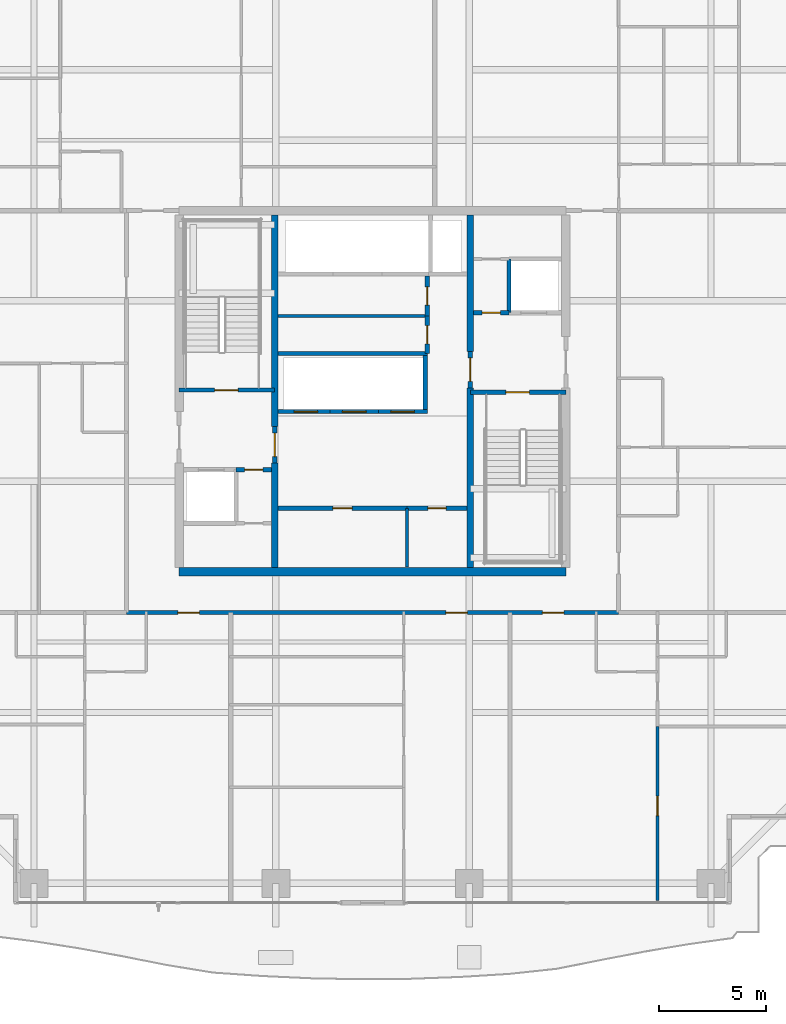
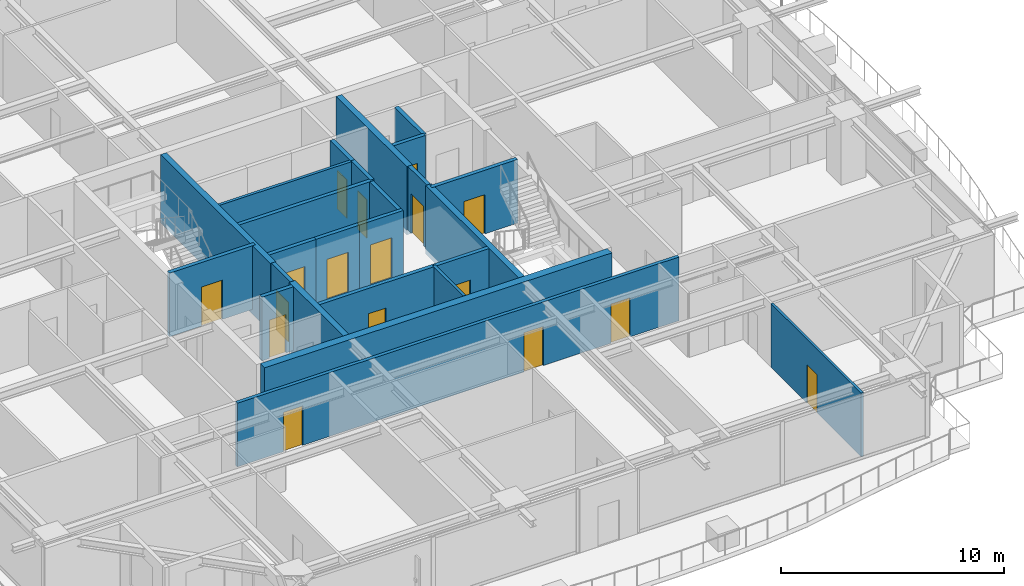
# One storey, part 26 of 35: 25 walls, 17 doors, 17 openings.
"""IFC4 building model written with IfcOpenShell, lengths in metres."""

from ifc_helpers import new_model, si_unit, direction, frame, frame_2d, origin, place, context, subcontext, project, spatial, rectangle, extrude, source, transform, mapped, material, layer, layer_set, type_object, element, fill, save


model = new_model("IFC4")

# Units and contexts
model_context = context("Model", 3, precision=1e-05, world=origin(), true_north=direction((0.0, 1.0)))
body_context = subcontext(model_context, "Body", "Model", "MODEL_VIEW")
ifc_project = project(units=[si_unit("LENGTHUNIT", "METRE"), si_unit("AREAUNIT", "SQUARE_METRE"), si_unit("VOLUMEUNIT", "CUBIC_METRE"), si_unit("PLANEANGLEUNIT", "RADIAN"), si_unit("MASSUNIT", "GRAM", prefix="KILO")], contexts=[model_context])

# Site, building, storey
site_placement = place(None, origin())
site = spatial("IfcSite", under=ifc_project, at=site_placement, CompositionType="ELEMENT")
building_placement = place(site_placement, origin())
building = spatial("IfcBuilding", under=site, at=building_placement, Name="Serunith Strait Residences", CompositionType="ELEMENT")
storey_placement = place(building_placement, frame((0.0, 0.0, 191.39990234375)))
storey = spatial("IfcBuildingStorey", under=building, at=storey_placement, Name="L48", CompositionType="ELEMENT", Elevation=191.39990234375)

# Walls
ifc_material_1 = material(Name="Fire-rated masonry service closet wall", Category="masonry")
ifc_layer_1 = layer(ifc_material_1, 0.14990234375, Name="Fire-rated masonry service closet wall")
ifc_layer_set_1 = layer_set([ifc_layer_1], Name="Fire-rated masonry service closet wall")
wall_type_1 = type_object("IfcWallType", Name="IW-BOH-150", PredefinedType="PARTITIONING", material=ifc_layer_set_1)
wall_1_placement = place(storey_placement, frame((28.0, 28.699951171875, 0.0), z_axis=(0.0, 0.0, 1.0), x_axis=(1.0, 0.0, 0.0)))
element("IfcWall", 1, at=wall_1_placement, inside=storey, type_object=wall_type_1, Name="L48 Partition Wall 016", PredefinedType="PARTITIONING", context=body_context, shape_type="SweptSolid", body=[
    extrude(rectangle(XDim=6.949951171875, YDim=0.14990234375, at=frame_2d((3.47509765625, 0.0))), origin(), (0.0, 0.0, 1.0), 3.489990234375),
])
wall_2_placement = place(storey_placement, frame((34.0, 17.02001953125, 0.0), z_axis=(0.0, 0.0, 1.0), x_axis=(0.0, 1.0, 0.0)))
element("IfcWall", 2, at=wall_2_placement, inside=storey, type_object=wall_type_1, Name="L48 Partition Wall 019", PredefinedType="PARTITIONING", context=body_context, shape_type="SweptSolid", body=[
    extrude(rectangle(XDim=2.72998046875, YDim=0.14990234375, at=frame_2d((1.364990234375, 0.0))), origin(), (0.0, 0.0, 1.0), 3.489990234375),
])

# Wall, openings, doors
ifc_material_2 = material(Name="Fire-rated acoustic gypsum partition")
ifc_layer_2 = layer(ifc_material_2, 0.179931640625, Name="Fire-rated acoustic gypsum partition")
ifc_layer_set_2 = layer_set([ifc_layer_2], Name="Fire-rated acoustic gypsum partition")
wall_type_2 = type_object("IfcWallType", Name="IW-CORR-180", PredefinedType="PARTITIONING", material=ifc_layer_set_2)
wall_3_placement = place(storey_placement, frame((20.951904296875, 14.89990234375, 0.0), z_axis=(0.0, 0.0, 1.0), x_axis=(1.0, 0.0, 0.0)))
wall_3 = element("IfcWall", 3, at=wall_3_placement, inside=storey, type_object=wall_type_2, Name="L48 Partition Wall 027", PredefinedType="PARTITIONING", context=body_context, shape_type="SweptSolid", body=[
    extrude(rectangle(XDim=22.89599609375, YDim=0.179931640625, at=frame_2d((11.447998046875, 0.0))), origin(), (0.0, 0.0, 1.0), 3.489990234375),
])
opening_1_placement = place(wall_3_placement, frame((2.386962890625, 0.0, 0.0)))
opening_1 = element("IfcOpeningElement", 4, at=opening_1_placement, cuts=wall_3, Name="Opening D-APT1000", PredefinedType="OPENING", context=body_context, shape_type="SweptSolid", body=[
    extrude(rectangle(XDim=1.0, YDim=2.14990234375, at=frame_2d((0.5, 1.074951171875))), frame((0.0, 0.10009765625, 0.0), z_axis=(0.0, -1.0, 0.0), x_axis=(1.0, 0.0, 0.0)), (0.0, 0.0, 1.0), 0.199951171875),
])
opening_2_placement = place(wall_3_placement, frame((14.866943359375, 0.0, 0.0)))
opening_2 = element("IfcOpeningElement", 5, at=opening_2_placement, cuts=wall_3, Name="Opening D-APT1000", PredefinedType="OPENING", context=body_context, shape_type="SweptSolid", body=[
    extrude(rectangle(XDim=1.0, YDim=2.14990234375, at=frame_2d((0.5, 1.074951171875))), frame((0.0, 0.10009765625, 0.0), z_axis=(0.0, -1.0, 0.0), x_axis=(1.0, 0.0, 0.0)), (0.0, 0.0, 1.0), 0.199951171875),
])
opening_3_placement = place(wall_3_placement, frame((19.35595703125, 0.0, 0.0)))
opening_3 = element("IfcOpeningElement", 6, at=opening_3_placement, cuts=wall_3, Name="Opening D-APT1000", PredefinedType="OPENING", context=body_context, shape_type="SweptSolid", body=[
    extrude(rectangle(XDim=1.0, YDim=2.14990234375, at=frame_2d((0.5, 1.074951171875))), frame((0.0, 0.10009765625, 0.0), z_axis=(0.0, -1.0, 0.0), x_axis=(1.0, 0.0, 0.0)), (0.0, 0.0, 1.0), 0.199951171875),
])
ifc_material_3 = material(Name="Solid timber engineered fire door", Category="wood")
door_type_1 = type_object("IfcDoorType", Name="ID-APT-1000", OperationType="NOTDEFINED", PredefinedType="DOOR", material=ifc_material_3)
shared_shape_1 = source(origin(), body_context, "Body", "SweptSolid", [
    extrude(rectangle(XDim=1.0, YDim=2.14990234375, at=frame_2d((0.5, 1.074951171875))), frame((0.0, 0.02490234375, 0.0), z_axis=(0.0, -1.0, 0.0), x_axis=(1.0, 0.0, 0.0)), (0.0, 0.0, 1.0), 0.050048828125),
])
door_1_placement = place(opening_1_placement, origin())
door_1 = element("IfcDoor", 7, at=door_1_placement, inside=storey, type_object=door_type_1, Name="L48 Unit 01 Entrance Door", OperationType="SINGLE_SWING_LEFT", OverallHeight=2.14990234375, OverallWidth=1.0, PredefinedType="DOOR", context=body_context, shape_type="MappedRepresentation", body=[
    mapped(shared_shape_1, transform((0.0, 0.0, 0.0), scale=1.0)),
])
fill(opening_1, door_1)
door_2_placement = place(opening_2_placement, origin())
door_2 = element("IfcDoor", 8, at=door_2_placement, inside=storey, type_object=door_type_1, Name="L48 Unit 02 Entrance Door", OperationType="SINGLE_SWING_RIGHT", OverallHeight=2.14990234375, OverallWidth=1.0, PredefinedType="DOOR", context=body_context, shape_type="MappedRepresentation", body=[
    mapped(shared_shape_1, transform((0.0, 0.0, 0.0), scale=1.0)),
])
fill(opening_2, door_2)
door_3_placement = place(opening_3_placement, origin())
door_3 = element("IfcDoor", 9, at=door_3_placement, inside=storey, type_object=door_type_1, Name="L48 Unit 03 Entrance Door", OperationType="SINGLE_SWING_LEFT", OverallHeight=2.14990234375, OverallWidth=1.0, PredefinedType="DOOR", context=body_context, shape_type="MappedRepresentation", body=[
    mapped(shared_shape_1, transform((0.0, 0.0, 0.0), scale=1.0)),
])
fill(opening_3, door_3)

# Wall, opening, door
ifc_material_4 = material(Name="Lightweight steel-stud gypsum partition", Category="steel")
ifc_layer_3 = layer(ifc_material_4, 0.1201171875, Name="Lightweight steel-stud gypsum partition")
ifc_layer_set_3 = layer_set([ifc_layer_3], Name="Lightweight steel-stud gypsum partition")
wall_type_3 = type_object("IfcWallType", Name="IW-PART-120", PredefinedType="PARTITIONING", material=ifc_layer_set_3)
wall_4_placement = place(storey_placement, frame((45.659912109375, 1.4951171875, 0.0), z_axis=(0.0, 0.0, 1.0), x_axis=(0.0, 1.0, 0.0)))
wall_4 = element("IfcWall", 10, at=wall_4_placement, inside=storey, type_object=wall_type_3, Name="L48 Partition Wall 049", PredefinedType="PARTITIONING", context=body_context, shape_type="SweptSolid", body=[
    extrude(rectangle(XDim=8.102783203125, YDim=0.1201171875, at=frame_2d((4.05126953125, 0.0))), origin(), (0.0, 0.0, 1.0), 3.489990234375),
])
opening_4_placement = place(wall_4_placement, frame((3.9619140625, 0.0, 0.0)))
opening_4 = element("IfcOpeningElement", 11, at=opening_4_placement, cuts=wall_4, Name="Opening D-RM900", PredefinedType="OPENING", context=body_context, shape_type="SweptSolid", body=[
    extrude(rectangle(XDim=0.89990234375, YDim=2.10009765625, at=frame_2d((0.449951171875, 1.050048828125))), frame((0.0, 0.070068359375, 0.0), z_axis=(0.0, -1.0, 0.0), x_axis=(1.0, 0.0, 0.0)), (0.0, 0.0, 1.0), 0.14013671875),
])
ifc_material_5 = material(Name="Engineered timber flush bedroom door", Category="wood")
door_type_2 = type_object("IfcDoorType", Name="ID-ROOM-900", OperationType="NOTDEFINED", PredefinedType="DOOR", material=ifc_material_5)
shared_shape_2 = source(origin(), body_context, "Body", "SweptSolid", [
    extrude(rectangle(XDim=0.89990234375, YDim=2.10009765625, at=frame_2d((0.449951171875, 1.050048828125))), frame((0.0, 0.02490234375, 0.0), z_axis=(0.0, -1.0, 0.0), x_axis=(1.0, 0.0, 0.0)), (0.0, 0.0, 1.0), 0.050048828125),
])
door_4_placement = place(opening_4_placement, origin())
door_4 = element("IfcDoor", 12, at=door_4_placement, inside=storey, type_object=door_type_2, Name="L48 Master Bedroom 1 4803 Door", OperationType="SINGLE_SWING_LEFT", OverallHeight=2.10009765625, OverallWidth=0.89990234375, PredefinedType="DOOR", context=body_context, shape_type="MappedRepresentation", body=[
    mapped(shared_shape_2, transform((0.0, 0.0, 0.0), scale=1.0)),
])
fill(opening_4, door_4)

ifc_material_6 = material(Name="Autoclaved aerated concrete blockwork", Category="masonry")
ifc_layer_4 = layer(ifc_material_6, 0.199951171875, Name="Autoclaved aerated concrete blockwork")
ifc_layer_set_4 = layer_set([ifc_layer_4], Name="Autoclaved aerated concrete blockwork")
wall_type_4 = type_object("IfcWallType", Name="IW-SHAFT-200", PredefinedType="STANDARD", material=ifc_layer_set_4)
wall_5_placement = place(storey_placement, frame((23.39990234375, 25.25, 0.0), z_axis=(0.0, 0.0, 1.0), x_axis=(1.0, 0.0, 0.0)))
wall_5 = element("IfcWall", 13, at=wall_5_placement, inside=storey, type_object=wall_type_4, Name="L48 ST-1 South Shaft Wall", PredefinedType="STANDARD", context=body_context, shape_type="SweptSolid", body=[
    extrude(rectangle(XDim=4.4501953125, YDim=0.199951171875, at=frame_2d((2.22509765625, 0.0))), origin(), (0.0, 0.0, 1.0), 3.489990234375),
])
opening_5_placement = place(wall_5_placement, frame((1.64990234375, 0.0, 0.0)))
opening_5 = element("IfcOpeningElement", 14, at=opening_5_placement, cuts=wall_5, Name="Opening FD-1100", PredefinedType="OPENING", context=body_context, shape_type="SweptSolid", body=[
    extrude(rectangle(XDim=1.10009765625, YDim=2.14990234375, at=frame_2d((0.550048828125, 1.074951171875))), frame((0.0, 0.10986328125, 0.0), z_axis=(0.0, -1.0, 0.0), x_axis=(1.0, 0.0, 0.0)), (0.0, 0.0, 1.0), 0.219970703125),
])
ifc_material_7 = material(Name="Galvanised steel fire door leaf", Category="steel")
door_type_3 = type_object("IfcDoorType", Name="FD-STAIR-1100", OperationType="NOTDEFINED", PredefinedType="DOOR", material=ifc_material_7)
shared_shape_3 = source(origin(), body_context, "Body", "SweptSolid", [
    extrude(rectangle(XDim=1.10009765625, YDim=2.14990234375, at=frame_2d((0.550048828125, 1.074951171875))), frame((0.0, 0.02490234375, 0.0), z_axis=(0.0, -1.0, 0.0), x_axis=(1.0, 0.0, 0.0)), (0.0, 0.0, 1.0), 0.050048828125),
])
door_5_placement = place(opening_5_placement, origin())
door_5 = element("IfcDoor", 15, at=door_5_placement, inside=storey, type_object=door_type_3, Name="L48 ST-1 Escape Stair Door", OperationType="SINGLE_SWING_RIGHT", OverallHeight=2.14990234375, OverallWidth=1.10009765625, PredefinedType="DOOR", context=body_context, shape_type="MappedRepresentation", body=[
    mapped(shared_shape_3, transform((0.0, 0.0, 0.0), scale=1.0)),
])
fill(opening_5, door_5)

wall_6_placement = place(storey_placement, frame((36.949951171875, 25.14990234375, 0.0), z_axis=(0.0, 0.0, 1.0), x_axis=(1.0, 0.0, 0.0)))
wall_6 = element("IfcWall", 16, at=wall_6_placement, inside=storey, type_object=wall_type_4, Name="L48 ST-2 North Shaft Wall", PredefinedType="STANDARD", context=body_context, shape_type="SweptSolid", body=[
    extrude(rectangle(XDim=4.449951171875, YDim=0.199951171875, at=frame_2d((2.22509765625, 0.0))), origin(), (0.0, 0.0, 1.0), 3.489990234375),
])
opening_6_placement = place(wall_6_placement, frame((1.64990234375, 0.0, 0.0)))
opening_6 = element("IfcOpeningElement", 17, at=opening_6_placement, cuts=wall_6, Name="Opening FD-1100", PredefinedType="OPENING", context=body_context, shape_type="SweptSolid", body=[
    extrude(rectangle(XDim=1.10009765625, YDim=2.14990234375, at=frame_2d((0.550048828125, 1.074951171875))), frame((0.0, 0.10986328125, 0.0), z_axis=(0.0, -1.0, 0.0), x_axis=(1.0, 0.0, 0.0)), (0.0, 0.0, 1.0), 0.219970703125),
])
door_6_placement = place(opening_6_placement, origin())
door_6 = element("IfcDoor", 18, at=door_6_placement, inside=storey, type_object=door_type_3, Name="L48 ST-2 Escape Stair Door", OperationType="SINGLE_SWING_LEFT", OverallHeight=2.14990234375, OverallWidth=1.10009765625, PredefinedType="DOOR", context=body_context, shape_type="MappedRepresentation", body=[
    mapped(shared_shape_3, transform((0.0, 0.0, 0.0), scale=1.0)),
])
fill(opening_6, door_6)

wall_7_placement = place(storey_placement, frame((28.0, 24.25, 0.0), z_axis=(0.0, 0.0, 1.0), x_axis=(1.0, 0.0, 0.0)))
wall_7 = element("IfcWall", 19, at=wall_7_placement, inside=storey, type_object=wall_type_4, Name="L48 PL-4 South Shaft Wall", PredefinedType="STANDARD", context=body_context, shape_type="SweptSolid", body=[
    extrude(rectangle(XDim=2.425048828125, YDim=0.199951171875, at=frame_2d((1.21240234375, 0.0))), origin(), (0.0, 0.0, 1.0), 3.489990234375),
])
opening_7_placement = place(wall_7_placement, frame((0.75, 0.0, 0.0)))
opening_7 = element("IfcOpeningElement", 20, at=opening_7_placement, cuts=wall_7, Name="Opening LD-1100", PredefinedType="OPENING", context=body_context, shape_type="SweptSolid", body=[
    extrude(rectangle(XDim=1.10009765625, YDim=2.199951171875, at=frame_2d((0.550048828125, 1.10009765625))), frame((0.0, 0.10986328125, 0.0), z_axis=(0.0, -1.0, 0.0), x_axis=(1.0, 0.0, 0.0)), (0.0, 0.0, 1.0), 0.219970703125),
])
ifc_material_8 = material(Name="Pale-champagne stainless landing door")
door_type_4 = type_object("IfcDoorType", Name="LD-LIFT-1100", OperationType="DOUBLE_DOOR_SLIDING", PredefinedType="DOOR", material=ifc_material_8)
shared_shape_4 = source(origin(), body_context, "Body", "SweptSolid", [
    extrude(rectangle(XDim=1.10009765625, YDim=2.199951171875, at=frame_2d((0.550048828125, 1.10009765625))), frame((0.0, 0.02490234375, 0.0), z_axis=(0.0, -1.0, 0.0), x_axis=(1.0, 0.0, 0.0)), (0.0, 0.0, 1.0), 0.050048828125),
])
door_7_placement = place(opening_7_placement, origin())
door_7 = element("IfcDoor", 21, at=door_7_placement, inside=storey, type_object=door_type_4, Name="L48 PL-4 Landing Door", OperationType="DOUBLE_DOOR_SLIDING", OverallHeight=2.199951171875, OverallWidth=1.10009765625, PredefinedType="DOOR", context=body_context, shape_type="MappedRepresentation", body=[
    mapped(shared_shape_4, transform((0.0, 0.0, 0.0), scale=1.0)),
])
fill(opening_7, door_7)

wall_8_placement = place(storey_placement, frame((30.425048828125, 24.25, 0.0), z_axis=(0.0, 0.0, 1.0), x_axis=(1.0, 0.0, 0.0)))
wall_8 = element("IfcWall", 22, at=wall_8_placement, inside=storey, type_object=wall_type_4, Name="L48 PL-5 South Shaft Wall", PredefinedType="STANDARD", context=body_context, shape_type="SweptSolid", body=[
    extrude(rectangle(XDim=2.25, YDim=0.199951171875, at=frame_2d((1.125, 0.0))), origin(), (0.0, 0.0, 1.0), 3.489990234375),
])
opening_8_placement = place(wall_8_placement, frame((0.574951171875, 0.0, 0.0)))
opening_8 = element("IfcOpeningElement", 23, at=opening_8_placement, cuts=wall_8, Name="Opening LD-1100", PredefinedType="OPENING", context=body_context, shape_type="SweptSolid", body=[
    extrude(rectangle(XDim=1.10009765625, YDim=2.199951171875, at=frame_2d((0.550048828125, 1.10009765625))), frame((0.0, 0.10986328125, 0.0), z_axis=(0.0, -1.0, 0.0), x_axis=(1.0, 0.0, 0.0)), (0.0, 0.0, 1.0), 0.219970703125),
])
door_8_placement = place(opening_8_placement, origin())
door_8 = element("IfcDoor", 24, at=door_8_placement, inside=storey, type_object=door_type_4, Name="L48 PL-5 Landing Door", OperationType="DOUBLE_DOOR_SLIDING", OverallHeight=2.199951171875, OverallWidth=1.10009765625, PredefinedType="DOOR", context=body_context, shape_type="MappedRepresentation", body=[
    mapped(shared_shape_4, transform((0.0, 0.0, 0.0), scale=1.0)),
])
fill(opening_8, door_8)

wall_9_placement = place(storey_placement, frame((32.675048828125, 24.25, 0.0), z_axis=(0.0, 0.0, 1.0), x_axis=(1.0, 0.0, 0.0)))
wall_9 = element("IfcWall", 25, at=wall_9_placement, inside=storey, type_object=wall_type_4, Name="L48 PL-6 South Shaft Wall", PredefinedType="STANDARD", context=body_context, shape_type="SweptSolid", body=[
    extrude(rectangle(XDim=2.27490234375, YDim=0.199951171875, at=frame_2d((1.137451171875, 0.0))), origin(), (0.0, 0.0, 1.0), 3.489990234375),
])
opening_9_placement = place(wall_9_placement, frame((0.574951171875, 0.0, 0.0)))
opening_9 = element("IfcOpeningElement", 26, at=opening_9_placement, cuts=wall_9, Name="Opening LD-1100", PredefinedType="OPENING", context=body_context, shape_type="SweptSolid", body=[
    extrude(rectangle(XDim=1.10009765625, YDim=2.199951171875, at=frame_2d((0.550048828125, 1.10009765625))), frame((0.0, 0.10986328125, 0.0), z_axis=(0.0, -1.0, 0.0), x_axis=(1.0, 0.0, 0.0)), (0.0, 0.0, 1.0), 0.219970703125),
])
door_9_placement = place(opening_9_placement, origin())
door_9 = element("IfcDoor", 27, at=door_9_placement, inside=storey, type_object=door_type_4, Name="L48 PL-6 Landing Door", OperationType="DOUBLE_DOOR_SLIDING", OverallHeight=2.199951171875, OverallWidth=1.10009765625, PredefinedType="DOOR", context=body_context, shape_type="MappedRepresentation", body=[
    mapped(shared_shape_4, transform((0.0, 0.0, 0.0), scale=1.0)),
])
fill(opening_9, door_9)

# Wall
wall_10_placement = place(storey_placement, frame((34.85009765625, 24.35009765625, 0.0), z_axis=(0.0, 0.0, 1.0), x_axis=(0.0, 1.0, 0.0)))
element("IfcWall", 28, at=wall_10_placement, inside=storey, type_object=wall_type_4, Name="L48 PL-6 East Shaft Wall", PredefinedType="STANDARD", context=body_context, shape_type="SweptSolid", body=[
    extrude(rectangle(XDim=2.5, YDim=0.199951171875, at=frame_2d((1.25, 0.0))), origin(), (0.0, 0.0, 1.0), 3.489990234375),
])

# Wall, opening, door
wall_11_placement = place(storey_placement, frame((26.052001953125, 21.550048828125, 0.0), z_axis=(0.0, 0.0, 1.0), x_axis=(1.0, 0.0, 0.0)))
wall_11 = element("IfcWall", 29, at=wall_11_placement, inside=storey, type_object=wall_type_4, Name="L48 Partition Wall 003", PredefinedType="STANDARD", context=body_context, shape_type="SweptSolid", body=[
    extrude(rectangle(XDim=1.64794921875, YDim=0.199951171875, at=frame_2d((0.823974609375, 0.0))), origin(), (0.0, 0.0, 1.0), 3.489990234375),
])
opening_10_placement = place(wall_11_placement, frame((0.39892578125, 0.0, 0.0)))
opening_10 = element("IfcOpeningElement", 30, at=opening_10_placement, cuts=wall_11, Name="Opening FD-850", PredefinedType="OPENING", context=body_context, shape_type="SweptSolid", body=[
    extrude(rectangle(XDim=0.85009765625, YDim=2.10009765625, at=frame_2d((0.425048828125, 1.050048828125))), frame((0.0, 0.10986328125, 0.0), z_axis=(0.0, -1.0, 0.0), x_axis=(1.0, 0.0, 0.0)), (0.0, 0.0, 1.0), 0.219970703125),
])
ifc_material_9 = material(Name="Powder-coated steel service closet door", Category="steel")
door_type_5 = type_object("IfcDoorType", Name="FD-BOH-850", OperationType="NOTDEFINED", PredefinedType="DOOR", material=ifc_material_9)
shared_shape_5 = source(origin(), body_context, "Body", "SweptSolid", [
    extrude(rectangle(XDim=0.85009765625, YDim=2.10009765625, at=frame_2d((0.425048828125, 1.050048828125))), frame((0.0, 0.02490234375, 0.0), z_axis=(0.0, -1.0, 0.0), x_axis=(1.0, 0.0, 0.0)), (0.0, 0.0, 1.0), 0.050048828125),
])
door_10_placement = place(opening_10_placement, origin())
door_10 = element("IfcDoor", 31, at=door_10_placement, inside=storey, type_object=door_type_5, Name="L48 South-West Core Service Door", OperationType="SINGLE_SWING_LEFT", OverallHeight=2.10009765625, OverallWidth=0.85009765625, PredefinedType="DOOR", context=body_context, shape_type="MappedRepresentation", body=[
    mapped(shared_shape_5, transform((0.0, 0.0, 0.0), scale=1.0)),
])
fill(opening_10, door_10)

# Wall
wall_12_placement = place(storey_placement, frame((38.75, 28.85009765625, 0.0), z_axis=(0.0, 0.0, 1.0), x_axis=(0.0, 1.0, 0.0)))
element("IfcWall", 32, at=wall_12_placement, inside=storey, type_object=wall_type_4, Name="L48 Partition Wall 004", PredefinedType="STANDARD", context=body_context, shape_type="SweptSolid", body=[
    extrude(rectangle(XDim=2.5, YDim=0.199951171875, at=frame_2d((1.25, 0.0))), origin(), (0.0, 0.0, 1.0), 3.489990234375),
])

# Wall, opening, door
wall_13_placement = place(storey_placement, frame((37.10009765625, 28.85009765625, 0.0), z_axis=(0.0, 0.0, 1.0), x_axis=(1.0, 0.0, 0.0)))
wall_13 = element("IfcWall", 33, at=wall_13_placement, inside=storey, type_object=wall_type_4, Name="L48 Partition Wall 006", PredefinedType="STANDARD", context=body_context, shape_type="SweptSolid", body=[
    extrude(rectangle(XDim=1.64794921875, YDim=0.199951171875, at=frame_2d((0.823974609375, 0.0))), origin(), (0.0, 0.0, 1.0), 3.489990234375),
])
opening_11_placement = place(wall_13_placement, frame((0.39892578125, 0.0, 0.0)))
opening_11 = element("IfcOpeningElement", 34, at=opening_11_placement, cuts=wall_13, Name="Opening FD-850", PredefinedType="OPENING", context=body_context, shape_type="SweptSolid", body=[
    extrude(rectangle(XDim=0.85009765625, YDim=2.10009765625, at=frame_2d((0.425048828125, 1.050048828125))), frame((0.0, 0.10986328125, 0.0), z_axis=(0.0, -1.0, 0.0), x_axis=(1.0, 0.0, 0.0)), (0.0, 0.0, 1.0), 0.219970703125),
])
door_11_placement = place(opening_11_placement, origin())
door_11 = element("IfcDoor", 35, at=door_11_placement, inside=storey, type_object=door_type_5, Name="L48 North-East Core Service Door", OperationType="SINGLE_SWING_RIGHT", OverallHeight=2.10009765625, OverallWidth=0.85009765625, PredefinedType="DOOR", context=body_context, shape_type="MappedRepresentation", body=[
    mapped(shared_shape_5, transform((0.0, 0.0, 0.0), scale=1.0)),
])
fill(opening_11, door_11)

wall_14_placement = place(storey_placement, frame((27.85009765625, 21.85205078125, 0.0), z_axis=(0.0, 0.0, 1.0), x_axis=(0.0, 1.0, 0.0)))
wall_14 = element("IfcWall", 36, at=wall_14_placement, inside=storey, type_object=wall_type_4, Name="L48 Partition Wall 009", PredefinedType="STANDARD", context=body_context, shape_type="SweptSolid", body=[
    extrude(rectangle(XDim=1.696044921875, YDim=0.199951171875, at=frame_2d((0.84814453125, 0.0))), origin(), (0.0, 0.0, 1.0), 3.489990234375),
])
opening_12_placement = place(wall_14_placement, frame((0.298095703125, 0.0, 0.0)))
opening_12 = element("IfcOpeningElement", 37, at=opening_12_placement, cuts=wall_14, Name="Opening FD-FFL", PredefinedType="OPENING", context=body_context, shape_type="SweptSolid", body=[
    extrude(rectangle(XDim=1.10009765625, YDim=2.14990234375, at=frame_2d((0.550048828125, 1.074951171875))), frame((0.0, 0.10986328125, 0.0), z_axis=(0.0, -1.0, 0.0), x_axis=(1.0, 0.0, 0.0)), (0.0, 0.0, 1.0), 0.219970703125),
])
ifc_material_10 = material(Name="Glazed steel smoke-lobby fire door", Category="steel")
door_type_6 = type_object("IfcDoorType", Name="FD-FFL-1100", OperationType="NOTDEFINED", PredefinedType="DOOR", material=ifc_material_10)
door_12_placement = place(opening_12_placement, origin())
door_12 = element("IfcDoor", 38, at=door_12_placement, inside=storey, type_object=door_type_6, Name="L48 FFL-1 Lift Lobby Door", OperationType="SINGLE_SWING_LEFT", OverallHeight=2.14990234375, OverallWidth=1.10009765625, PredefinedType="DOOR", context=body_context, shape_type="MappedRepresentation", body=[
    mapped(shared_shape_3, transform((0.0, 0.0, 0.0), scale=1.0)),
])
fill(opening_12, door_12)

wall_15_placement = place(storey_placement, frame((36.949951171875, 25.35205078125, 0.0), z_axis=(0.0, 0.0, 1.0), x_axis=(0.0, 1.0, 0.0)))
wall_15 = element("IfcWall", 39, at=wall_15_placement, inside=storey, type_object=wall_type_4, Name="L48 Partition Wall 010", PredefinedType="STANDARD", context=body_context, shape_type="SweptSolid", body=[
    extrude(rectangle(XDim=1.696044921875, YDim=0.199951171875, at=frame_2d((0.84814453125, 0.0))), origin(), (0.0, 0.0, 1.0), 3.489990234375),
])
opening_13_placement = place(wall_15_placement, frame((0.298095703125, 0.0, 0.0)))
opening_13 = element("IfcOpeningElement", 40, at=opening_13_placement, cuts=wall_15, Name="Opening FD-FFL", PredefinedType="OPENING", context=body_context, shape_type="SweptSolid", body=[
    extrude(rectangle(XDim=1.10009765625, YDim=2.14990234375, at=frame_2d((0.550048828125, 1.074951171875))), frame((0.0, 0.10986328125, 0.0), z_axis=(0.0, -1.0, 0.0), x_axis=(1.0, 0.0, 0.0)), (0.0, 0.0, 1.0), 0.219970703125),
])
door_13_placement = place(opening_13_placement, origin())
door_13 = element("IfcDoor", 41, at=door_13_placement, inside=storey, type_object=door_type_6, Name="L48 FFL-2 Lift Lobby Door", OperationType="SINGLE_SWING_RIGHT", OverallHeight=2.14990234375, OverallWidth=1.10009765625, PredefinedType="DOOR", context=body_context, shape_type="MappedRepresentation", body=[
    mapped(shared_shape_3, transform((0.0, 0.0, 0.0), scale=1.0)),
])
fill(opening_13, door_13)

# Wall
wall_16_placement = place(storey_placement, frame((28.0, 26.949951171875, 0.0), z_axis=(0.0, 0.0, 1.0), x_axis=(1.0, 0.0, 0.0)))
element("IfcWall", 42, at=wall_16_placement, inside=storey, type_object=wall_type_4, Name="L48 Partition Wall 011", PredefinedType="STANDARD", context=body_context, shape_type="SweptSolid", body=[
    extrude(rectangle(XDim=6.949951171875, YDim=0.199951171875, at=frame_2d((3.47509765625, 0.0))), origin(), (0.0, 0.0, 1.0), 3.489990234375),
])

# Wall, opening, door
wall_17_placement = place(storey_placement, frame((34.949951171875, 26.949951171875, 0.0), z_axis=(0.0, 0.0, 1.0), x_axis=(0.0, 1.0, 0.0)))
wall_17 = element("IfcWall", 43, at=wall_17_placement, inside=storey, type_object=wall_type_4, Name="L48 Partition Wall 014", PredefinedType="STANDARD", context=body_context, shape_type="SweptSolid", body=[
    extrude(rectangle(XDim=1.75, YDim=0.199951171875, at=frame_2d((0.875, 0.0))), origin(), (0.0, 0.0, 1.0), 3.489990234375),
])
opening_14_placement = place(wall_17_placement, frame((0.449951171875, 0.0, 0.0)))
opening_14 = element("IfcOpeningElement", 44, at=opening_14_placement, cuts=wall_17, Name="Opening FD-850", PredefinedType="OPENING", context=body_context, shape_type="SweptSolid", body=[
    extrude(rectangle(XDim=0.85009765625, YDim=2.10009765625, at=frame_2d((0.425048828125, 1.050048828125))), frame((0.0, 0.10986328125, 0.0), z_axis=(0.0, -1.0, 0.0), x_axis=(1.0, 0.0, 0.0)), (0.0, 0.0, 1.0), 0.219970703125),
])
door_14_placement = place(opening_14_placement, origin())
door_14 = element("IfcDoor", 45, at=door_14_placement, inside=storey, type_object=door_type_5, Name="L48 Chilled Water Pump Door", OperationType="SINGLE_SWING_LEFT", OverallHeight=2.10009765625, OverallWidth=0.85009765625, PredefinedType="DOOR", context=body_context, shape_type="MappedRepresentation", body=[
    mapped(shared_shape_5, transform((0.0, 0.0, 0.0), scale=1.0)),
])
fill(opening_14, door_14)

wall_18_placement = place(storey_placement, frame((34.949951171875, 28.701904296875, 0.0), z_axis=(0.0, 0.0, 1.0), x_axis=(0.0, 1.0, 0.0)))
wall_18 = element("IfcWall", 46, at=wall_18_placement, inside=storey, type_object=wall_type_4, Name="L48 Partition Wall 015", PredefinedType="STANDARD", context=body_context, shape_type="SweptSolid", body=[
    extrude(rectangle(XDim=1.84814453125, YDim=0.199951171875, at=frame_2d((0.924072265625, 0.0))), origin(), (0.0, 0.0, 1.0), 3.489990234375),
])
opening_15_placement = place(wall_18_placement, frame((0.4990234375, 0.0, 0.0)))
opening_15 = element("IfcOpeningElement", 47, at=opening_15_placement, cuts=wall_18, Name="Opening FD-850", PredefinedType="OPENING", context=body_context, shape_type="SweptSolid", body=[
    extrude(rectangle(XDim=0.85009765625, YDim=2.10009765625, at=frame_2d((0.425048828125, 1.050048828125))), frame((0.0, 0.10986328125, 0.0), z_axis=(0.0, -1.0, 0.0), x_axis=(1.0, 0.0, 0.0)), (0.0, 0.0, 1.0), 0.219970703125),
])
door_15_placement = place(opening_15_placement, origin())
door_15 = element("IfcDoor", 48, at=door_15_placement, inside=storey, type_object=door_type_5, Name="L48 Smoke Control Fan Door", OperationType="SINGLE_SWING_RIGHT", OverallHeight=2.10009765625, OverallWidth=0.85009765625, PredefinedType="DOOR", context=body_context, shape_type="MappedRepresentation", body=[
    mapped(shared_shape_5, transform((0.0, 0.0, 0.0), scale=1.0)),
])
fill(opening_15, door_15)

wall_19_placement = place(storey_placement, frame((28.0, 19.75, 0.0), z_axis=(0.0, 0.0, 1.0), x_axis=(1.0, 0.0, 0.0)))
wall_19 = element("IfcWall", 49, at=wall_19_placement, inside=storey, type_object=wall_type_4, Name="L48 Partition Wall 017", PredefinedType="STANDARD", context=body_context, shape_type="SweptSolid", body=[
    extrude(rectangle(XDim=6.0, YDim=0.199951171875, at=frame_2d((3.0, 0.0))), origin(), (0.0, 0.0, 1.0), 3.489990234375),
])
opening_16_placement = place(wall_19_placement, frame((2.550048828125, 0.0, 0.0)))
opening_16 = element("IfcOpeningElement", 50, at=opening_16_placement, cuts=wall_19, Name="Opening FD-900", PredefinedType="OPENING", context=body_context, shape_type="SweptSolid", body=[
    extrude(rectangle(XDim=0.89990234375, YDim=2.10009765625, at=frame_2d((0.449951171875, 1.050048828125))), frame((0.0, 0.10986328125, 0.0), z_axis=(0.0, -1.0, 0.0), x_axis=(1.0, 0.0, 0.0)), (0.0, 0.0, 1.0), 0.219970703125),
])
ifc_material_11 = material(Name="Powder-coated steel riser door", Category="steel")
door_type_7 = type_object("IfcDoorType", Name="FD-BOH-900", OperationType="NOTDEFINED", PredefinedType="DOOR", material=ifc_material_11)
door_16_placement = place(opening_16_placement, origin())
door_16 = element("IfcDoor", 51, at=door_16_placement, inside=storey, type_object=door_type_7, Name="L48 Telecoms Comms Door", OperationType="SINGLE_SWING_LEFT", OverallHeight=2.10009765625, OverallWidth=0.89990234375, PredefinedType="DOOR", context=body_context, shape_type="MappedRepresentation", body=[
    mapped(shared_shape_2, transform((0.0, 0.0, 0.0), scale=1.0)),
])
fill(opening_16, door_16)

wall_20_placement = place(storey_placement, frame((34.001953125, 19.75, 0.0), z_axis=(0.0, 0.0, 1.0), x_axis=(1.0, 0.0, 0.0)))
wall_20 = element("IfcWall", 52, at=wall_20_placement, inside=storey, type_object=wall_type_4, Name="L48 Partition Wall 018", PredefinedType="STANDARD", context=body_context, shape_type="SweptSolid", body=[
    extrude(rectangle(XDim=2.798095703125, YDim=0.199951171875, at=frame_2d((1.39892578125, 0.0))), origin(), (0.0, 0.0, 1.0), 3.489990234375),
])
opening_17_placement = place(wall_20_placement, frame((0.97412109375, 0.0, 0.0)))
opening_17 = element("IfcOpeningElement", 53, at=opening_17_placement, cuts=wall_20, Name="Opening FD-850", PredefinedType="OPENING", context=body_context, shape_type="SweptSolid", body=[
    extrude(rectangle(XDim=0.85009765625, YDim=2.10009765625, at=frame_2d((0.425048828125, 1.050048828125))), frame((0.0, 0.10986328125, 0.0), z_axis=(0.0, -1.0, 0.0), x_axis=(1.0, 0.0, 0.0)), (0.0, 0.0, 1.0), 0.219970703125),
])
door_17_placement = place(opening_17_placement, origin())
door_17 = element("IfcDoor", 54, at=door_17_placement, inside=storey, type_object=door_type_5, Name="L48 Floor Linen Closet Door", OperationType="SINGLE_SWING_RIGHT", OverallHeight=2.10009765625, OverallWidth=0.85009765625, PredefinedType="DOOR", context=body_context, shape_type="MappedRepresentation", body=[
    mapped(shared_shape_5, transform((0.0, 0.0, 0.0), scale=1.0)),
])
fill(opening_17, door_17)

# Walls
ifc_material_12 = material(Name="Concrete C70/85", Category="concrete")
ifc_layer_5 = layer(ifc_material_12, 0.300048828125, Name="Concrete C70/85")
ifc_layer_set_5 = layer_set([ifc_layer_5], Name="Concrete C70/85")
wall_type_5 = type_object("IfcWallType", Name="SW-300-C70", PredefinedType="SHEAR", material=ifc_layer_set_5)
wall_21_placement = place(storey_placement, frame((27.85009765625, 17.0, -0.260009765625), z_axis=(0.0, 0.0, 1.0), x_axis=(0.0, 1.0, 0.0)))
element("IfcWall", 55, at=wall_21_placement, inside=storey, type_object=wall_type_5, Name="L48 Core Internal West Web South Pier", PredefinedType="SHEAR", context=body_context, shape_type="SweptSolid", body=[
    extrude(rectangle(XDim=4.85009765625, YDim=0.300048828125, at=frame_2d((2.425048828125, 0.0))), origin(), (0.0, 0.0, 1.0), 3.748046875),
])
wall_22_placement = place(storey_placement, frame((27.85009765625, 23.550048828125, -0.260009765625), z_axis=(0.0, 0.0, 1.0), x_axis=(0.0, 1.0, 0.0)))
element("IfcWall", 56, at=wall_22_placement, inside=storey, type_object=wall_type_5, Name="L48 Core Internal West Web North Pier", PredefinedType="SHEAR", context=body_context, shape_type="SweptSolid", body=[
    extrude(rectangle(XDim=9.849853515625, YDim=0.300048828125, at=frame_2d((4.9248046875, 0.0))), origin(), (0.0, 0.0, 1.0), 3.748046875),
])
wall_23_placement = place(storey_placement, frame((36.949951171875, 17.0, -0.260009765625), z_axis=(0.0, 0.0, 1.0), x_axis=(0.0, 1.0, 0.0)))
element("IfcWall", 57, at=wall_23_placement, inside=storey, type_object=wall_type_5, Name="L48 Core Internal East Web South Pier", PredefinedType="SHEAR", context=body_context, shape_type="SweptSolid", body=[
    extrude(rectangle(XDim=8.35009765625, YDim=0.300048828125, at=frame_2d((4.175048828125, 0.0))), origin(), (0.0, 0.0, 1.0), 3.748046875),
])
wall_24_placement = place(storey_placement, frame((36.949951171875, 27.050048828125, -0.260009765625), z_axis=(0.0, 0.0, 1.0), x_axis=(0.0, 1.0, 0.0)))
element("IfcWall", 58, at=wall_24_placement, inside=storey, type_object=wall_type_5, Name="L48 Core Internal East Web North Pier", PredefinedType="SHEAR", context=body_context, shape_type="SweptSolid", body=[
    extrude(rectangle(XDim=6.349853515625, YDim=0.300048828125, at=frame_2d((3.1748046875, 0.0))), origin(), (0.0, 0.0, 1.0), 3.748046875),
])
ifc_layer_6 = layer(ifc_material_12, 0.39990234375, Name="Concrete C70/85")
ifc_layer_set_6 = layer_set([ifc_layer_6], Name="Concrete C70/85")
wall_type_6 = type_object("IfcWallType", Name="SW-400-C70", PredefinedType="SHEAR", material=ifc_layer_set_6)
wall_25_placement = place(storey_placement, frame((23.39990234375, 16.800048828125, -0.260009765625), z_axis=(0.0, 0.0, 1.0), x_axis=(1.0, 0.0, 0.0)))
element("IfcWall", 59, at=wall_25_placement, inside=storey, type_object=wall_type_6, Name="L48 Core South Shear Wall", PredefinedType="SHEAR", context=body_context, shape_type="SweptSolid", body=[
    extrude(rectangle(XDim=18.0, YDim=0.39990234375, at=frame_2d((9.0, 0.0))), origin(), (0.0, 0.0, 1.0), 3.748046875),
])

save(model, "model.ifc")
